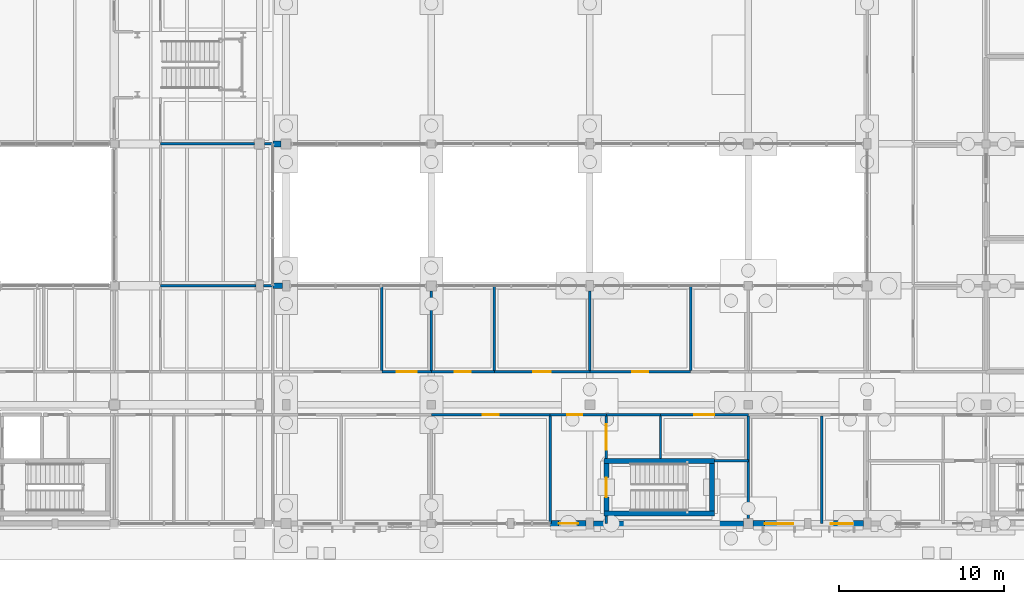
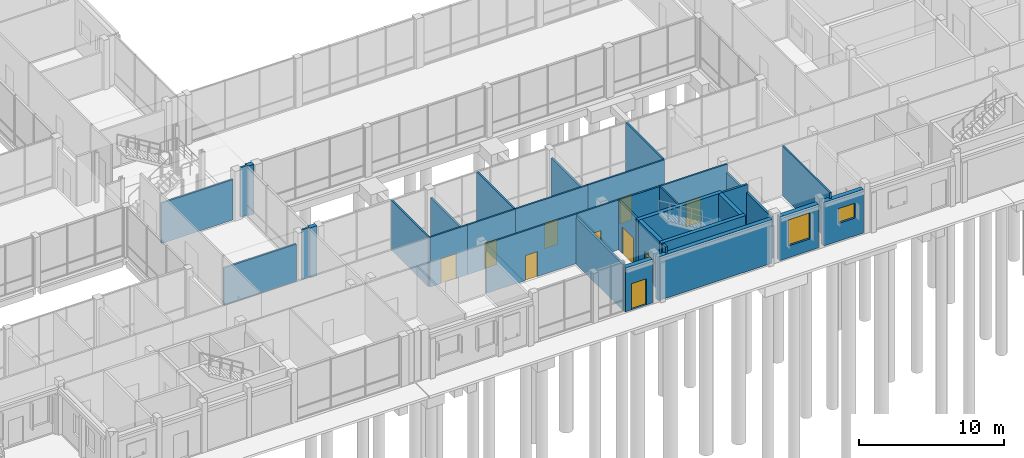
# One storey, part 78 of 104: 35 walls, 10 doors, 2 windows, 12 openings.
"""IFC4 building model written with IfcOpenShell, lengths in metres."""

import ifcopenshell
import ifcopenshell.guid

model = None  # the IFC model being written
_history = None  # IfcOwnerHistory: only IFC2X3 demands one
_inside = {}  # id of a spatial element -> (the spatial element, [elements in it])
_under = {}  # id of a project, library or spatial element -> (it, [spatial elements below it])
_declared = {}  # id of a project -> (the project, [libraries it declares])
_typed = {}  # id of a type object -> (the type object, [elements of that type])
_made_of = {}  # id of a material, layer set ... -> (it, [elements and type objects made of it])


def new_model(schema):
    """Start an empty IFC model of exactly this schema.

    Asked for "IFC4X3", IfcOpenShell would pick the latest addendum, in which some entities
    have other attributes; the version numbers below select the first issue.
    IFC2X3 requires an IfcOwnerHistory on every rooted entity: one is made here for all.
    """
    global model, _history
    if schema == "IFC4X3":
        model = ifcopenshell.file(schema_version=(4, 3, 0, 0))
    else:
        model = ifcopenshell.file(schema=schema)
    _inside.clear()
    _under.clear()
    _declared.clear()
    _typed.clear()
    _made_of.clear()
    _history = None
    if model.schema == "IFC2X3":
        org = make("IfcOrganization", Name="unknown")
        user = make(
            "IfcPersonAndOrganization",
            ThePerson=make("IfcPerson", FamilyName="unknown"),
            TheOrganization=org,
        )
        app = make(
            "IfcApplication",
            ApplicationDeveloper=org,
            Version="unknown",
            ApplicationFullName="unknown",
            ApplicationIdentifier="unknown",
        )
        _history = make(
            "IfcOwnerHistory",
            OwningUser=user,
            OwningApplication=app,
            ChangeAction="ADDED",
            CreationDate=0,
        )
    return model


def make(cls, **values):
    """One entity of the class cls with the attributes given. An attribute that is None is left unset."""
    return model.create_entity(
        cls, **{name: value for name, value in values.items() if value is not None}
    )


def rooted(cls, **values):
    """An entity with a GlobalId (a new one), such as an element, a storey or a relation."""
    return make(cls, GlobalId=ifcopenshell.guid.new(), OwnerHistory=_history, **values)


def si_unit(unit_type, name, prefix=None):
    """IfcSIUnit, for example si_unit("LENGTHUNIT", "METRE", prefix="MILLI")."""
    return make("IfcSIUnit", UnitType=unit_type, Prefix=prefix, Name=name)


def assignment(units):
    """IfcUnitAssignment: the units of a project."""
    return None if units is None else make("IfcUnitAssignment", Units=units)


def point(xyz):
    """IfcCartesianPoint."""
    return None if xyz is None else make("IfcCartesianPoint", Coordinates=xyz)


def direction(xyz):
    """IfcDirection."""
    return None if xyz is None else make("IfcDirection", DirectionRatios=xyz)


def frame(location, z_axis=None, x_axis=None):
    """IfcAxis2Placement3D, a coordinate frame: its origin and axes. An axis left out is left unset."""
    return make(
        "IfcAxis2Placement3D",
        Location=point(location),
        Axis=direction(z_axis),
        RefDirection=direction(x_axis),
    )


def frame_2d(location, x_axis=None):
    """IfcAxis2Placement2D, a coordinate frame in the plane: its origin and x axis."""
    return make(
        "IfcAxis2Placement2D", Location=point(location), RefDirection=direction(x_axis)
    )


def origin():
    """The frame at (0, 0, 0) with its axes left unset."""
    return frame((0.0, 0.0, 0.0))


def place(relative_to, where):
    """IfcLocalPlacement: puts the frame where relative to a parent placement (None: the world)."""
    return make(
        "IfcLocalPlacement", PlacementRelTo=relative_to, RelativePlacement=where
    )


def context(
    kind, dimensions, precision=None, world=None, true_north=None, identifier=None
):
    """IfcGeometricRepresentationContext, for example the 3D "Model" context."""
    return make(
        "IfcGeometricRepresentationContext",
        ContextIdentifier=identifier,
        ContextType=kind,
        CoordinateSpaceDimension=dimensions,
        Precision=precision,
        WorldCoordinateSystem=world,
        TrueNorth=true_north,
    )


def subcontext(parent, identifier, kind, view, scale=None):
    """IfcGeometricRepresentationSubContext, for example "Body" below "Model"."""
    return make(
        "IfcGeometricRepresentationSubContext",
        ContextIdentifier=identifier,
        ContextType=kind,
        ParentContext=parent,
        TargetScale=scale,
        TargetView=view,
    )


def project(units=None, contexts=None):
    """IfcProject with its units and contexts."""
    return rooted(
        "IfcProject",
        Name="project",
        RepresentationContexts=contexts,
        UnitsInContext=assignment(units),
    )


def spatial(cls, under=None, at=None, **own):
    """A site, building, storey or space (cls), placed at a placement, below another one or the project."""
    s = rooted(cls, ObjectPlacement=at, **own)
    if under is not None:
        _under.setdefault(under.id(), (under, []))[1].append(s)
    return s


def profile(cls, at=None, kind="AREA", **sizes):
    """A parametric profile (cls). Its sizes go by their IFC names, for example OverallWidth=200.0."""
    return make(cls, ProfileType=kind, Position=at, **sizes)


def rectangle(**sizes):
    """IfcRectangleProfileDef."""
    return profile("IfcRectangleProfileDef", **sizes)


def extrude(swept, where, along, depth):
    """IfcExtrudedAreaSolid: the profile swept, set in the frame where, extruded along a direction by depth."""
    return make(
        "IfcExtrudedAreaSolid",
        SweptArea=swept,
        Position=where,
        ExtrudedDirection=direction(along),
        Depth=depth,
    )


def shape(context_of_items, identifier, shape_type, items):
    """IfcShapeRepresentation: the items that make up one representation, for example the "Body"."""
    return make(
        "IfcShapeRepresentation",
        ContextOfItems=context_of_items,
        RepresentationIdentifier=identifier,
        RepresentationType=shape_type,
        Items=items,
    )


def material(Name=None, Category=None):
    """IfcMaterial."""
    return make("IfcMaterial", Name=Name, Category=Category)


def layer(
    of_material, thickness, ventilated=None, Name=None, Category=None, Priority=None
):
    """IfcMaterialLayer: one layer of a wall or slab, of a material (None: an air gap)."""
    return make(
        "IfcMaterialLayer",
        Material=of_material,
        LayerThickness=thickness,
        IsVentilated=ventilated,
        Name=Name,
        Category=Category,
        Priority=Priority,
    )


def layer_set(layers, Name=None):
    """IfcMaterialLayerSet."""
    return make("IfcMaterialLayerSet", MaterialLayers=layers, LayerSetName=Name)


def made_of(thing, what):
    """Note that an element or type object is made of a material, layer set ...; save() writes the relation."""
    if what is not None:
        _made_of.setdefault(what.id(), (what, []))[1].append(thing)
    return thing


def type_object(cls, material=None, **own):
    """A type object (cls), such as IfcWallType, which elements share."""
    return made_of(rooted(cls, **own), material)


def element(
    cls,
    number,
    at=None,
    inside=None,
    cuts=None,
    type_object=None,
    material=None,
    context=None,
    identifier="Body",
    shape_type=None,
    held_by="IfcProductDefinitionShape",
    body=None,
    shapes=None,
    **own,
):
    """One element of the class cls, such as IfcWall. Its Tag is "e" and its number.

    at: its placement. inside: the storey or other place that contains it. cuts: it is an
    opening in that element (IfcRelVoidsElement). A single representation is given by context,
    identifier, shape_type and body (its items); several are given by shapes. held_by: the class
    of the entity that holds the representations. save() writes the other relations.
    """
    e = rooted(cls, Tag="e%d" % number, ObjectPlacement=at, **own)
    if body is not None:
        shapes = [shape(context, identifier, shape_type, body)]
    if shapes is not None:
        e.Representation = make(held_by, Representations=shapes)
    if inside is not None:
        _inside.setdefault(inside.id(), (inside, []))[1].append(e)
    if cuts is not None:
        rooted(
            "IfcRelVoidsElement", RelatingBuildingElement=cuts, RelatedOpeningElement=e
        )
    if type_object is not None:
        _typed.setdefault(type_object.id(), (type_object, []))[1].append(e)
    return made_of(e, material)


def fill(opening, filler):
    """IfcRelFillsElement: the door or window that sits in an opening."""
    return rooted(
        "IfcRelFillsElement",
        RelatingOpeningElement=opening,
        RelatedBuildingElement=filler,
    )


def aggregate(whole, parts):
    """IfcRelAggregates: a whole, such as a stair, and the parts it consists of."""
    return rooted("IfcRelAggregates", RelatingObject=whole, RelatedObjects=parts)


def save(model, path):
    """Write the relations noted so far, then the file.

    IfcRelAggregates (storeys below a building ...), IfcRelContainedInSpatialStructure (elements
    in a storey), IfcRelDefinesByType, IfcRelAssociatesMaterial and IfcRelDeclares: one each for
    every whole, place, type object, material and project.
    """
    for whole, parts in _under.values():
        aggregate(whole, parts)
    for where, things in _inside.values():
        rooted(
            "IfcRelContainedInSpatialStructure",
            RelatedElements=things,
            RelatingStructure=where,
        )
    for kind, things in _typed.values():
        rooted("IfcRelDefinesByType", RelatedObjects=things, RelatingType=kind)
    for what, things in _made_of.values():
        rooted("IfcRelAssociatesMaterial", RelatedObjects=things, RelatingMaterial=what)
    for by, libraries in _declared.values():
        rooted("IfcRelDeclares", RelatingContext=by, RelatedDefinitions=libraries)
    model.write(path)


model = new_model("IFC4")

# Units and contexts
model_context = context("Model", 3, precision=1e-05, world=origin(), true_north=direction((0.0, 1.0)))
body_context = subcontext(model_context, "Body", "Model", "MODEL_VIEW")
ifc_project = project(units=[si_unit("LENGTHUNIT", "METRE"), si_unit("AREAUNIT", "SQUARE_METRE"), si_unit("VOLUMEUNIT", "CUBIC_METRE"), si_unit("PLANEANGLEUNIT", "RADIAN"), si_unit("MASSUNIT", "GRAM", prefix="KILO")], contexts=[model_context])

# Site, building, storey
site_placement = place(None, origin())
site = spatial("IfcSite", under=ifc_project, at=site_placement, CompositionType="ELEMENT")
building_placement = place(site_placement, origin())
building = spatial("IfcBuilding", under=site, at=building_placement, Name="Hawrajan Terrace Health Centre", CompositionType="ELEMENT")
storey_placement = place(building_placement, origin())
storey = spatial("IfcBuildingStorey", under=building, at=storey_placement, Name="L00", CompositionType="ELEMENT", Elevation=0.0)

# Walls
ifc_material_1 = material(Name="Gypsum board on acoustic stud framing")
ifc_layer_1 = layer(ifc_material_1, 0.139892578125)
ifc_layer_set_1 = layer_set([ifc_layer_1], Name="Gypsum board on acoustic stud framing")
wall_type_1 = type_object("IfcWallType", Name="ClinicalAcousticWall_140", PredefinedType="PARTITIONING", material=ifc_layer_set_1)
wall_1_placement = place(storey_placement, frame((65.0, 18.60009765625, 0.0), z_axis=(0.0, 0.0, 1.0), x_axis=(1.0, 0.0, 0.0)))
element("IfcWall", 1, at=wall_1_placement, inside=storey, type_object=wall_type_1, Name="Interior wall IW-L00-0345", PredefinedType="PARTITIONING", context=body_context, shape_type="SweptSolid", body=[
    extrude(rectangle(XDim=5.77490234375, YDim=0.139892578125, at=frame_2d((2.887451171875, 0.0))), origin(), (0.0, 0.0, 1.0), 3.14990234375),
])
wall_2_placement = place(storey_placement, frame((71.22509765625, 18.60009765625, 0.0), z_axis=(0.0, 0.0, 1.0), x_axis=(1.0, 0.0, 0.0)))
element("IfcWall", 2, at=wall_2_placement, inside=storey, type_object=wall_type_1, Name="Interior wall IW-L00-0346", PredefinedType="PARTITIONING", context=body_context, shape_type="SweptSolid", body=[
    extrude(rectangle(XDim=0.56982421875, YDim=0.139892578125, at=frame_2d((0.284912109375, 0.0))), origin(), (0.0, 0.0, 1.0), 4.179931640625),
])
wall_3_placement = place(storey_placement, frame((65.0, 27.199951171875, 0.0), z_axis=(0.0, 0.0, 1.0), x_axis=(1.0, 0.0, 0.0)))
element("IfcWall", 3, at=wall_3_placement, inside=storey, type_object=wall_type_1, Name="Interior wall IW-L00-0348", PredefinedType="PARTITIONING", context=body_context, shape_type="SweptSolid", body=[
    extrude(rectangle(XDim=5.699951171875, YDim=0.139892578125, at=frame_2d((2.85009765625, 0.0))), origin(), (0.0, 0.0, 1.0), 3.39990234375),
])
wall_4_placement = place(storey_placement, frame((71.300048828125, 27.199951171875, 0.0), z_axis=(0.0, 0.0, 1.0), x_axis=(1.0, 0.0, 0.0)))
element("IfcWall", 4, at=wall_4_placement, inside=storey, type_object=wall_type_1, Name="Interior wall IW-L00-0349", PredefinedType="PARTITIONING", context=body_context, shape_type="SweptSolid", body=[
    extrude(rectangle(XDim=0.494873046875, YDim=0.139892578125, at=frame_2d((0.24755859375, 0.0))), origin(), (0.0, 0.0, 1.0), 4.179931640625),
])
wall_5_placement = place(storey_placement, frame((78.406005859375, 13.469970703125, 0.0), z_axis=(0.0, 0.0, 1.0), x_axis=(0.0, 1.0, 0.0)))
element("IfcWall", 5, at=wall_5_placement, inside=storey, type_object=wall_type_1, Name="Interior wall IW-L00-0366", PredefinedType="PARTITIONING", context=body_context, shape_type="SweptSolid", body=[
    extrude(rectangle(XDim=5.130126953125, YDim=0.139892578125, at=frame_2d((2.56494140625, 0.0))), origin(), (0.0, 0.0, 1.0), 4.179931640625),
])

# Wall, opening, door
wall_6_placement = place(storey_placement, frame((78.406005859375, 13.39990234375, 0.0), z_axis=(0.0, 0.0, 1.0), x_axis=(1.0, 0.0, 0.0)))
wall_6 = element("IfcWall", 6, at=wall_6_placement, inside=storey, type_object=wall_type_1, Name="Interior wall IW-L00-0367", PredefinedType="PARTITIONING", context=body_context, shape_type="SweptSolid", body=[
    extrude(rectangle(XDim=2.993896484375, YDim=0.139892578125, at=frame_2d((1.4970703125, 0.0))), origin(), (0.0, 0.0, 1.0), 4.179931640625),
])
opening_1_placement = place(wall_6_placement, frame((0.886962890625, 0.0, 0.0)))
opening_1 = element("IfcOpeningElement", 7, at=opening_1_placement, cuts=wall_6, Name="Opening D-L00-192", PredefinedType="OPENING", context=body_context, shape_type="SweptSolid", body=[
    extrude(rectangle(XDim=1.219970703125, YDim=2.10009765625, at=frame_2d((0.60986328125, 1.050048828125))), frame((0.0, 0.079833984375, 0.0), z_axis=(0.0, -1.0, 0.0), x_axis=(1.0, 0.0, 0.0)), (0.0, 0.0, 1.0), 0.159912109375),
])
ifc_material_2 = material(Name="Hardwood acoustic clinical door leaf and frame", Category="wood")
door_type_1 = type_object("IfcDoorType", Name="ConsultDoor_1220x2100", OperationType="NOTDEFINED", PredefinedType="DOOR", material=ifc_material_2)
door_1_placement = place(opening_1_placement, origin())
door_1 = element("IfcDoor", 8, at=door_1_placement, inside=storey, type_object=door_type_1, Name="Interior door D-L00-192", OperationType="SINGLE_SWING_RIGHT", OverallHeight=2.10009765625, OverallWidth=1.219970703125, PredefinedType="DOOR", context=body_context, shape_type="SweptSolid", body=[
    extrude(rectangle(XDim=1.219970703125, YDim=2.10009765625, at=frame_2d((0.60986328125, 1.050048828125))), frame((0.0, 0.02490234375, 0.0), z_axis=(0.0, -1.0, 0.0), x_axis=(1.0, 0.0, 0.0)), (0.0, 0.0, 1.0), 0.050048828125),
])
fill(opening_1, door_1)

wall_7_placement = place(storey_placement, frame((81.39990234375, 10.800048828125, 0.0), z_axis=(0.0, 0.0, 1.0), x_axis=(1.0, 0.0, 0.0)))
wall_7 = element("IfcWall", 9, at=wall_7_placement, inside=storey, type_object=wall_type_1, Name="Interior wall IW-L00-0369", PredefinedType="PARTITIONING", context=body_context, shape_type="SweptSolid", body=[
    extrude(rectangle(XDim=7.2001953125, YDim=0.139892578125, at=frame_2d((3.60009765625, 0.0))), origin(), (0.0, 0.0, 1.0), 4.179931640625),
])
opening_2_placement = place(wall_7_placement, frame((3.125, 0.0, 0.0)))
opening_2 = element("IfcOpeningElement", 10, at=opening_2_placement, cuts=wall_7, Name="Opening D-L00-193", PredefinedType="OPENING", context=body_context, shape_type="SweptSolid", body=[
    extrude(rectangle(XDim=0.949951171875, YDim=2.10009765625, at=frame_2d((0.47509765625, 1.050048828125))), frame((0.0, 0.079833984375, 0.0), z_axis=(0.0, -1.0, 0.0), x_axis=(1.0, 0.0, 0.0)), (0.0, 0.0, 1.0), 0.159912109375),
])
door_type_2 = type_object("IfcDoorType", Name="AccessibleWCDoor_950x2100", OperationType="NOTDEFINED", PredefinedType="DOOR", material=ifc_material_2)
door_2_placement = place(opening_2_placement, origin())
door_2 = element("IfcDoor", 11, at=door_2_placement, inside=storey, type_object=door_type_2, Name="Interior door D-L00-193", OperationType="SINGLE_SWING_LEFT", OverallHeight=2.10009765625, OverallWidth=0.949951171875, PredefinedType="DOOR", context=body_context, shape_type="SweptSolid", body=[
    extrude(rectangle(XDim=0.949951171875, YDim=2.10009765625, at=frame_2d((0.47509765625, 1.050048828125))), frame((0.0, 0.02490234375, 0.0), z_axis=(0.0, -1.0, 0.0), x_axis=(1.0, 0.0, 0.0)), (0.0, 0.0, 1.0), 0.050048828125),
])
fill(opening_2, door_2)

# Wall
wall_8_placement = place(storey_placement, frame((81.39990234375, 13.469970703125, 0.0), z_axis=(0.0, 0.0, 1.0), x_axis=(0.0, 1.0, 0.0)))
element("IfcWall", 12, at=wall_8_placement, inside=storey, type_object=wall_type_1, Name="Interior wall IW-L00-0370", PredefinedType="PARTITIONING", context=body_context, shape_type="SweptSolid", body=[
    extrude(rectangle(XDim=4.830078125, YDim=0.139892578125, at=frame_2d((2.4150390625, 0.0))), origin(), (0.0, 0.0, 1.0), 3.5),
])

# Wall, opening, door
wall_9_placement = place(storey_placement, frame((81.39990234375, 13.39990234375, 0.0), z_axis=(0.0, 0.0, 1.0), x_axis=(1.0, 0.0, 0.0)))
wall_9 = element("IfcWall", 13, at=wall_9_placement, inside=storey, type_object=wall_type_1, Name="Interior wall IW-L00-0371", PredefinedType="PARTITIONING", context=body_context, shape_type="SweptSolid", body=[
    extrude(rectangle(XDim=3.821044921875, YDim=0.139892578125, at=frame_2d((1.91064453125, 0.0))), origin(), (0.0, 0.0, 1.0), 4.179931640625),
])
opening_3_placement = place(wall_9_placement, frame((1.42041015625, 0.0, 0.0)))
opening_3 = element("IfcOpeningElement", 14, at=opening_3_placement, cuts=wall_9, Name="Opening D-L00-194", PredefinedType="OPENING", context=body_context, shape_type="SweptSolid", body=[
    extrude(rectangle(XDim=0.97998046875, YDim=2.14990234375, at=frame_2d((0.489990234375, 1.074951171875))), frame((0.0, 0.079833984375, 0.0), z_axis=(0.0, -1.0, 0.0), x_axis=(1.0, 0.0, 0.0)), (0.0, 0.0, 1.0), 0.159912109375),
])
door_type_3 = type_object("IfcDoorType", Name="ConsultDoor_980x2150", OperationType="NOTDEFINED", PredefinedType="DOOR", material=ifc_material_2)
door_3_placement = place(opening_3_placement, origin())
door_3 = element("IfcDoor", 15, at=door_3_placement, inside=storey, type_object=door_type_3, Name="Interior door D-L00-194", OperationType="SINGLE_SWING_RIGHT", OverallHeight=2.14990234375, OverallWidth=0.97998046875, PredefinedType="DOOR", context=body_context, shape_type="SweptSolid", body=[
    extrude(rectangle(XDim=0.97998046875, YDim=2.14990234375, at=frame_2d((0.489990234375, 1.074951171875))), frame((0.0, 0.02490234375, 0.0), z_axis=(0.0, -1.0, 0.0), x_axis=(1.0, 0.0, 0.0)), (0.0, 0.0, 1.0), 0.050048828125),
])
fill(opening_3, door_3)

# Wall
wall_10_placement = place(storey_placement, frame((85.220947265625, 13.469970703125, 0.0), z_axis=(0.0, 0.0, 1.0), x_axis=(0.0, 1.0, 0.0)))
element("IfcWall", 16, at=wall_10_placement, inside=storey, type_object=wall_type_1, Name="Interior wall IW-L00-0372", PredefinedType="PARTITIONING", context=body_context, shape_type="SweptSolid", body=[
    extrude(rectangle(XDim=5.130126953125, YDim=0.139892578125, at=frame_2d((2.56494140625, 0.0))), origin(), (0.0, 0.0, 1.0), 4.179931640625),
])

# Wall, opening, door
wall_11_placement = place(storey_placement, frame((85.220947265625, 13.39990234375, 0.0), z_axis=(0.0, 0.0, 1.0), x_axis=(1.0, 0.0, 0.0)))
wall_11 = element("IfcWall", 17, at=wall_11_placement, inside=storey, type_object=wall_type_1, Name="Interior wall IW-L00-0373", PredefinedType="PARTITIONING", context=body_context, shape_type="SweptSolid", body=[
    extrude(rectangle(XDim=5.779052734375, YDim=0.139892578125, at=frame_2d((2.8896484375, 0.0))), origin(), (0.0, 0.0, 1.0), 4.179931640625),
])
opening_4_placement = place(wall_11_placement, frame((2.359619140625, 0.0, 0.0)))
opening_4 = element("IfcOpeningElement", 18, at=opening_4_placement, cuts=wall_11, Name="Opening D-L00-195", PredefinedType="OPENING", context=body_context, shape_type="SweptSolid", body=[
    extrude(rectangle(XDim=1.06005859375, YDim=2.14990234375, at=frame_2d((0.530029296875, 1.074951171875))), frame((0.0, 0.079833984375, 0.0), z_axis=(0.0, -1.0, 0.0), x_axis=(1.0, 0.0, 0.0)), (0.0, 0.0, 1.0), 0.159912109375),
])
door_type_4 = type_object("IfcDoorType", Name="MentalHealthDoor_1060x2150", OperationType="NOTDEFINED", PredefinedType="DOOR", material=ifc_material_2)
door_4_placement = place(opening_4_placement, origin())
door_4 = element("IfcDoor", 19, at=door_4_placement, inside=storey, type_object=door_type_4, Name="Interior door D-L00-195", OperationType="SINGLE_SWING_LEFT", OverallHeight=2.14990234375, OverallWidth=1.06005859375, PredefinedType="DOOR", context=body_context, shape_type="SweptSolid", body=[
    extrude(rectangle(XDim=1.06005859375, YDim=2.14990234375, at=frame_2d((0.530029296875, 1.074951171875))), frame((0.0, 0.02490234375, 0.0), z_axis=(0.0, -1.0, 0.0), x_axis=(1.0, 0.0, 0.0)), (0.0, 0.0, 1.0), 0.050048828125),
])
fill(opening_4, door_4)

# Wall
wall_12_placement = place(storey_placement, frame((88.60009765625, 4.199951171875, 0.0), z_axis=(0.0, 0.0, 1.0), x_axis=(0.0, 1.0, 0.0)))
element("IfcWall", 20, at=wall_12_placement, inside=storey, type_object=wall_type_1, Name="Interior wall IW-L00-0374", PredefinedType="PARTITIONING", context=body_context, shape_type="SweptSolid", body=[
    extrude(rectangle(XDim=6.530029296875, YDim=0.139892578125, at=frame_2d((3.26513671875, 0.0))), origin(), (0.0, 0.0, 1.0), 3.89990234375),
])

# Wall, opening, door
wall_13_placement = place(storey_placement, frame((88.60009765625, 10.800048828125, 0.0), z_axis=(0.0, 0.0, 1.0), x_axis=(1.0, 0.0, 0.0)))
wall_13 = element("IfcWall", 21, at=wall_13_placement, inside=storey, type_object=wall_type_1, Name="Interior wall IW-L00-0375", PredefinedType="PARTITIONING", context=body_context, shape_type="SweptSolid", body=[
    extrude(rectangle(XDim=3.39990234375, YDim=0.139892578125, at=frame_2d((1.699951171875, 0.0))), origin(), (0.0, 0.0, 1.0), 4.179931640625),
])
opening_5_placement = place(wall_13_placement, frame((1.030029296875, 0.0, 0.0)))
opening_5 = element("IfcOpeningElement", 22, at=opening_5_placement, cuts=wall_13, Name="Opening D-L00-117", PredefinedType="OPENING", context=body_context, shape_type="SweptSolid", body=[
    extrude(rectangle(XDim=0.89990234375, YDim=2.10009765625, at=frame_2d((0.449951171875, 1.050048828125))), frame((0.0, 0.079833984375, 0.0), z_axis=(0.0, -1.0, 0.0), x_axis=(1.0, 0.0, 0.0)), (0.0, 0.0, 1.0), 0.159912109375),
])
door_type_5 = type_object("IfcDoorType", Name="PatientWCDoor_900x2100", OperationType="NOTDEFINED", PredefinedType="DOOR", material=ifc_material_2)
door_5_placement = place(opening_5_placement, origin())
door_5 = element("IfcDoor", 23, at=door_5_placement, inside=storey, type_object=door_type_5, Name="Interior door D-L00-117", OperationType="SINGLE_SWING_LEFT", OverallHeight=2.10009765625, OverallWidth=0.89990234375, PredefinedType="DOOR", context=body_context, shape_type="SweptSolid", body=[
    extrude(rectangle(XDim=0.89990234375, YDim=2.10009765625, at=frame_2d((0.449951171875, 1.050048828125))), frame((0.0, 0.02490234375, 0.0), z_axis=(0.0, -1.0, 0.0), x_axis=(1.0, 0.0, 0.0)), (0.0, 0.0, 1.0), 0.050048828125),
])
fill(opening_5, door_5)

# Wall
wall_14_placement = place(storey_placement, frame((91.0, 13.469970703125, 0.0), z_axis=(0.0, 0.0, 1.0), x_axis=(0.0, 1.0, 0.0)))
element("IfcWall", 24, at=wall_14_placement, inside=storey, type_object=wall_type_1, Name="Interior wall IW-L00-0376", PredefinedType="PARTITIONING", context=body_context, shape_type="SweptSolid", body=[
    extrude(rectangle(XDim=4.804931640625, YDim=0.139892578125, at=frame_2d((2.40234375, 0.0))), origin(), (0.0, 0.0, 1.0), 3.5),
])

# Wall, opening, door
wall_15_placement = place(storey_placement, frame((91.0, 13.39990234375, 0.0), z_axis=(0.0, 0.0, 1.0), x_axis=(1.0, 0.0, 0.0)))
wall_15 = element("IfcWall", 25, at=wall_15_placement, inside=storey, type_object=wall_type_1, Name="Interior wall IW-L00-0377", PredefinedType="PARTITIONING", context=body_context, shape_type="SweptSolid", body=[
    extrude(rectangle(XDim=6.10595703125, YDim=0.139892578125, at=frame_2d((3.052978515625, 0.0))), origin(), (0.0, 0.0, 1.0), 4.179931640625),
])
opening_6_placement = place(wall_15_placement, frame((2.577880859375, 0.0, 0.0)))
opening_6 = element("IfcOpeningElement", 26, at=opening_6_placement, cuts=wall_15, Name="Opening D-L00-198", PredefinedType="OPENING", context=body_context, shape_type="SweptSolid", body=[
    extrude(rectangle(XDim=0.949951171875, YDim=2.10009765625, at=frame_2d((0.47509765625, 1.050048828125))), frame((0.0, 0.079833984375, 0.0), z_axis=(0.0, -1.0, 0.0), x_axis=(1.0, 0.0, 0.0)), (0.0, 0.0, 1.0), 0.159912109375),
])
door_6_placement = place(opening_6_placement, origin())
door_6 = element("IfcDoor", 27, at=door_6_placement, inside=storey, type_object=door_type_2, Name="Interior door D-L00-198", OperationType="SINGLE_SWING_RIGHT", OverallHeight=2.10009765625, OverallWidth=0.949951171875, PredefinedType="DOOR", context=body_context, shape_type="SweptSolid", body=[
    extrude(rectangle(XDim=0.949951171875, YDim=2.10009765625, at=frame_2d((0.47509765625, 1.050048828125))), frame((0.0, 0.02490234375, 0.0), z_axis=(0.0, -1.0, 0.0), x_axis=(1.0, 0.0, 0.0)), (0.0, 0.0, 1.0), 0.050048828125),
])
fill(opening_6, door_6)

wall_16_placement = place(storey_placement, frame((92.0, 8.139892578125, 0.0), z_axis=(0.0, 0.0, 1.0), x_axis=(0.0, 1.0, 0.0)))
wall_16 = element("IfcWall", 28, at=wall_16_placement, inside=storey, type_object=wall_type_1, Name="Interior wall IW-L00-0378", PredefinedType="PARTITIONING", context=body_context, shape_type="SweptSolid", body=[
    extrude(rectangle(XDim=2.590087890625, YDim=0.139892578125, at=frame_2d((1.294921875, 0.0))), origin(), (0.0, 0.0, 1.0), 4.179931640625),
])
opening_7_placement = place(wall_16_placement, frame((0.52490234375, 0.0, 0.0)))
opening_7 = element("IfcOpeningElement", 29, at=opening_7_placement, cuts=wall_16, Name="Opening D-L00-196", PredefinedType="OPENING", context=body_context, shape_type="SweptSolid", body=[
    extrude(rectangle(XDim=1.5400390625, YDim=2.25, at=frame_2d((0.77001953125, 1.125))), frame((0.0, 0.079833984375, 0.0), z_axis=(0.0, -1.0, 0.0), x_axis=(1.0, 0.0, 0.0)), (0.0, 0.0, 1.0), 0.159912109375),
])
door_type_6 = type_object("IfcDoorType", Name="RecoveryBayDoor_1540x2250", OperationType="DOUBLE_DOOR_SINGLE_SWING", PredefinedType="DOOR", material=ifc_material_2)
door_7_placement = place(opening_7_placement, origin())
door_7 = element("IfcDoor", 30, at=door_7_placement, inside=storey, type_object=door_type_6, Name="Interior door D-L00-196", OperationType="DOUBLE_DOOR_SINGLE_SWING", OverallHeight=2.25, OverallWidth=1.5400390625, PredefinedType="DOOR", context=body_context, shape_type="SweptSolid", body=[
    extrude(rectangle(XDim=1.5400390625, YDim=2.25, at=frame_2d((0.77001953125, 1.125))), frame((0.0, 0.02490234375, 0.0), z_axis=(0.0, -1.0, 0.0), x_axis=(1.0, 0.0, 0.0)), (0.0, 0.0, 1.0), 0.050048828125),
])
fill(opening_7, door_7)

# Walls
wall_17_placement = place(storey_placement, frame((92.0, 10.800048828125, 0.0), z_axis=(0.0, 0.0, 1.0), x_axis=(1.0, 0.0, 0.0)))
element("IfcWall", 31, at=wall_17_placement, inside=storey, type_object=wall_type_1, Name="Interior wall IW-L00-0379", PredefinedType="PARTITIONING", context=body_context, shape_type="SweptSolid", body=[
    extrude(rectangle(XDim=3.277099609375, YDim=0.139892578125, at=frame_2d((1.638671875, 0.0))), origin(), (0.0, 0.0, 1.0), 4.179931640625),
])
wall_18_placement = place(storey_placement, frame((95.277099609375, 8.139892578125, 0.0), z_axis=(0.0, 0.0, 1.0), x_axis=(0.0, 1.0, 0.0)))
element("IfcWall", 32, at=wall_18_placement, inside=storey, type_object=wall_type_1, Name="Interior wall IW-L00-0380", PredefinedType="PARTITIONING", context=body_context, shape_type="SweptSolid", body=[
    extrude(rectangle(XDim=2.590087890625, YDim=0.139892578125, at=frame_2d((1.294921875, 0.0))), origin(), (0.0, 0.0, 1.0), 4.179931640625),
])

# Wall, opening, door
wall_19_placement = place(storey_placement, frame((95.277099609375, 10.800048828125, 0.0), z_axis=(0.0, 0.0, 1.0), x_axis=(1.0, 0.0, 0.0)))
wall_19 = element("IfcWall", 33, at=wall_19_placement, inside=storey, type_object=wall_type_1, Name="Interior wall IW-L00-0381", PredefinedType="PARTITIONING", context=body_context, shape_type="SweptSolid", body=[
    extrude(rectangle(XDim=5.322998046875, YDim=0.139892578125, at=frame_2d((2.66162109375, 0.0))), origin(), (0.0, 0.0, 1.0), 4.179931640625),
])
opening_8_placement = place(wall_19_placement, frame((2.051513671875, 0.0, 0.0)))
opening_8 = element("IfcOpeningElement", 34, at=opening_8_placement, cuts=wall_19, Name="Opening D-L00-197", PredefinedType="OPENING", context=body_context, shape_type="SweptSolid", body=[
    extrude(rectangle(XDim=1.219970703125, YDim=2.10009765625, at=frame_2d((0.60986328125, 1.050048828125))), frame((0.0, 0.079833984375, 0.0), z_axis=(0.0, -1.0, 0.0), x_axis=(1.0, 0.0, 0.0)), (0.0, 0.0, 1.0), 0.159912109375),
])
door_8_placement = place(opening_8_placement, origin())
door_8 = element("IfcDoor", 35, at=door_8_placement, inside=storey, type_object=door_type_1, Name="Interior door D-L00-197", OperationType="SINGLE_SWING_LEFT", OverallHeight=2.10009765625, OverallWidth=1.219970703125, PredefinedType="DOOR", context=body_context, shape_type="SweptSolid", body=[
    extrude(rectangle(XDim=1.219970703125, YDim=2.10009765625, at=frame_2d((0.60986328125, 1.050048828125))), frame((0.0, 0.02490234375, 0.0), z_axis=(0.0, -1.0, 0.0), x_axis=(1.0, 0.0, 0.0)), (0.0, 0.0, 1.0), 0.050048828125),
])
fill(opening_8, door_8)

# Walls
wall_20_placement = place(storey_placement, frame((97.10595703125, 13.469970703125, 0.0), z_axis=(0.0, 0.0, 1.0), x_axis=(0.0, 1.0, 0.0)))
element("IfcWall", 36, at=wall_20_placement, inside=storey, type_object=wall_type_1, Name="Interior wall IW-L00-0382", PredefinedType="PARTITIONING", context=body_context, shape_type="SweptSolid", body=[
    extrude(rectangle(XDim=5.130126953125, YDim=0.139892578125, at=frame_2d((2.56494140625, 0.0))), origin(), (0.0, 0.0, 1.0), 4.179931640625),
])
wall_21_placement = place(storey_placement, frame((100.60009765625, 8.0, 0.0), z_axis=(0.0, 0.0, 1.0), x_axis=(0.0, 1.0, 0.0)))
element("IfcWall", 37, at=wall_21_placement, inside=storey, type_object=wall_type_1, Name="Interior wall IW-L00-0384", PredefinedType="PARTITIONING", context=body_context, shape_type="SweptSolid", body=[
    extrude(rectangle(XDim=2.72998046875, YDim=0.139892578125, at=frame_2d((1.364990234375, 0.0))), origin(), (0.0, 0.0, 1.0), 3.5),
])
wall_22_placement = place(storey_placement, frame((105.056884765625, 4.199951171875, 0.0), z_axis=(0.0, 0.0, 1.0), x_axis=(0.0, 1.0, 0.0)))
element("IfcWall", 38, at=wall_22_placement, inside=storey, type_object=wall_type_1, Name="Interior wall IW-L00-0388", PredefinedType="PARTITIONING", context=body_context, shape_type="SweptSolid", body=[
    extrude(rectangle(XDim=6.530029296875, YDim=0.139892578125, at=frame_2d((3.26513671875, 0.0))), origin(), (0.0, 0.0, 1.0), 4.179931640625),
])
ifc_material_3 = material(Name="Precast concrete C40/50", Category="concrete")
ifc_layer_2 = layer(ifc_material_3, 0.340087890625)
ifc_layer_set_2 = layer_set([ifc_layer_2], Name="Precast concrete C40/50")
wall_type_2 = type_object("IfcWallType", Name="CoralAshlarWall_340", PredefinedType="SOLIDWALL", material=ifc_layer_set_2)
wall_23_placement = place(storey_placement, frame((71.804931640625, 18.60009765625, 0.0), z_axis=(0.0, 0.0, 1.0), x_axis=(1.0, 0.0, 0.0)))
element("IfcWall", 39, at=wall_23_placement, inside=storey, type_object=wall_type_2, Name="Exterior wall EW-L00-H09-02-1", PredefinedType="SOLIDWALL", context=body_context, shape_type="SweptSolid", body=[
    extrude(rectangle(XDim=0.570068359375, YDim=0.340087890625, at=frame_2d((0.28515625, 0.0))), origin(), (0.0, 0.0, 1.0), 4.199951171875),
])
wall_24_placement = place(storey_placement, frame((91.22509765625, 4.199951171875, 0.0), z_axis=(0.0, 0.0, 1.0), x_axis=(1.0, 0.0, 0.0)))
element("IfcWall", 40, at=wall_24_placement, inside=storey, type_object=wall_type_2, Name="Exterior wall EW-L00-H11-00-1", PredefinedType="SOLIDWALL", context=body_context, shape_type="SweptSolid", body=[
    extrude(rectangle(XDim=9.074951171875, YDim=0.340087890625, at=frame_2d((4.53759765625, 0.0))), origin(), (0.0, 0.0, 1.0), 3.679931640625),
])
ifc_layer_3 = layer(ifc_material_3, 0.360107421875)
ifc_layer_set_3 = layer_set([ifc_layer_3], Name="Precast concrete C40/50")
wall_type_3 = type_object("IfcWallType", Name="CoralPodiumWall_360", PredefinedType="SOLIDWALL", material=ifc_layer_set_3)
wall_25_placement = place(storey_placement, frame((71.804931640625, 27.199951171875, 0.0), z_axis=(0.0, 0.0, 1.0), x_axis=(1.0, 0.0, 0.0)))
element("IfcWall", 41, at=wall_25_placement, inside=storey, type_object=wall_type_3, Name="Exterior wall EW-L00-H09-03-1", PredefinedType="SOLIDWALL", context=body_context, shape_type="SweptSolid", body=[
    extrude(rectangle(XDim=0.4951171875, YDim=0.360107421875, at=frame_2d((0.24755859375, 0.0))), origin(), (0.0, 0.0, 1.0), 4.199951171875),
])

# Wall, opening, door
wall_26_placement = place(storey_placement, frame((88.60009765625, 4.199951171875, 0.0), z_axis=(0.0, 0.0, 1.0), x_axis=(1.0, 0.0, 0.0)))
wall_26 = element("IfcWall", 42, at=wall_26_placement, inside=storey, type_object=wall_type_3, Name="Exterior wall EW-L00-H10-00-3", PredefinedType="SOLIDWALL", context=body_context, shape_type="SweptSolid", body=[
    extrude(rectangle(XDim=2.1748046875, YDim=0.360107421875, at=frame_2d((1.08740234375, 0.0))), origin(), (0.0, 0.0, 1.0), 3.679931640625),
])
opening_9_placement = place(wall_26_placement, frame((0.510009765625, 0.0, 0.0)))
opening_9 = element("IfcOpeningElement", 43, at=opening_9_placement, cuts=wall_26, Name="Opening D-L00-E011", PredefinedType="OPENING", context=body_context, shape_type="SweptSolid", body=[
    extrude(rectangle(XDim=1.179931640625, YDim=2.199951171875, at=frame_2d((0.58984375, 1.10009765625))), frame((0.0, 0.18994140625, 0.0), z_axis=(0.0, -1.0, 0.0), x_axis=(1.0, 0.0, 0.0)), (0.0, 0.0, 1.0), 0.380126953125),
])
ifc_material_4 = material(Name="Anodized bronze thermally broken fire-rated glazed door")
door_type_7 = type_object("IfcDoorType", Name="StairDischargeDoor_1180x2200", OperationType="NOTDEFINED", PredefinedType="DOOR", material=ifc_material_4)
door_9_placement = place(opening_9_placement, frame((1.179931640625, 0.0, 0.0), z_axis=(0.0, 0.0, 1.0), x_axis=(-1.0, 0.0, 0.0)))
door_9 = element("IfcDoor", 44, at=door_9_placement, inside=storey, type_object=door_type_7, Name="Stair S5 Final Exit Door D-L00-E011", OperationType="SINGLE_SWING_LEFT", OverallHeight=2.199951171875, OverallWidth=1.179931640625, PredefinedType="DOOR", context=body_context, shape_type="SweptSolid", body=[
    extrude(rectangle(XDim=1.179931640625, YDim=2.199951171875, at=frame_2d((0.58984375, 1.10009765625))), frame((0.0, 0.02490234375, 0.0), z_axis=(0.0, -1.0, 0.0), x_axis=(1.0, 0.0, 0.0)), (0.0, 0.0, 1.0), 0.050048828125),
])
fill(opening_9, door_9)

# Wall, opening, window
wall_27_placement = place(storey_placement, frame((100.89990234375, 4.199951171875, 0.0), z_axis=(0.0, 0.0, 1.0), x_axis=(1.0, 0.0, 0.0)))
wall_27 = element("IfcWall", 45, at=wall_27_placement, inside=storey, type_object=wall_type_3, Name="Exterior wall EW-L00-H12-00-1", PredefinedType="SOLIDWALL", context=body_context, shape_type="SweptSolid", body=[
    extrude(rectangle(XDim=3.10009765625, YDim=0.360107421875, at=frame_2d((1.550048828125, 0.0))), origin(), (0.0, 0.0, 1.0), 3.679931640625),
])
opening_10_placement = place(wall_27_placement, frame((0.68994140625, 0.0, 1.0)))
opening_10 = element("IfcOpeningElement", 46, at=opening_10_placement, cuts=wall_27, Name="Opening W-L00-037", PredefinedType="OPENING", context=body_context, shape_type="SweptSolid", body=[
    extrude(rectangle(XDim=1.719970703125, YDim=2.199951171875, at=frame_2d((0.85986328125, 1.10009765625))), frame((0.0, 0.18994140625, 0.0), z_axis=(0.0, -1.0, 0.0), x_axis=(1.0, 0.0, 0.0)), (0.0, 0.0, 1.0), 0.380126953125),
])
ifc_material_5 = material(Name="Anodized bronze frame with double low-E glazing", Category="glass")
window_type_1 = type_object("IfcWindowType", Name="FacadeWindow_1720x2200", PartitioningType="DOUBLE_PANEL_VERTICAL", PredefinedType="WINDOW", material=ifc_material_5)
window_1_placement = place(opening_10_placement, origin())
window_1 = element("IfcWindow", 47, at=window_1_placement, inside=storey, type_object=window_type_1, Name="Window W-L00-037", OverallHeight=2.199951171875, OverallWidth=1.719970703125, PartitioningType="DOUBLE_PANEL_VERTICAL", PredefinedType="WINDOW", context=body_context, shape_type="SweptSolid", body=[
    extrude(rectangle(XDim=1.719970703125, YDim=2.199951171875, at=frame_2d((0.85986328125, 1.10009765625))), frame((0.0, 0.030029296875, 0.0), z_axis=(0.0, -1.0, 0.0), x_axis=(1.0, 0.0, 0.0)), (0.0, 0.0, 1.0), 0.06005859375),
])
fill(opening_10, window_1)

wall_28_placement = place(storey_placement, frame((104.39990234375, 4.199951171875, 0.0), z_axis=(0.0, 0.0, 1.0), x_axis=(1.0, 0.0, 0.0)))
wall_28 = element("IfcWall", 48, at=wall_28_placement, inside=storey, type_object=wall_type_3, Name="Exterior wall EW-L00-H12-00-2", PredefinedType="SOLIDWALL", context=body_context, shape_type="SweptSolid", body=[
    extrude(rectangle(XDim=3.175048828125, YDim=0.360107421875, at=frame_2d((1.58740234375, 0.0))), origin(), (0.0, 0.0, 1.0), 3.679931640625),
])
opening_11_placement = place(wall_28_placement, frame((1.19580078125, 0.0, 1.5)))
opening_11 = element("IfcOpeningElement", 49, at=opening_11_placement, cuts=wall_28, Name="Opening W-L00-038", PredefinedType="OPENING", context=body_context, shape_type="SweptSolid", body=[
    extrude(rectangle(XDim=1.320068359375, YDim=1.25, at=frame_2d((0.66015625, 0.625))), frame((0.0, 0.18994140625, 0.0), z_axis=(0.0, -1.0, 0.0), x_axis=(1.0, 0.0, 0.0)), (0.0, 0.0, 1.0), 0.380126953125),
])
window_type_2 = type_object("IfcWindowType", Name="FacadeWindow_1320x1250", PartitioningType="SINGLE_PANEL", PredefinedType="WINDOW", material=ifc_material_5)
window_2_placement = place(opening_11_placement, origin())
window_2 = element("IfcWindow", 50, at=window_2_placement, inside=storey, type_object=window_type_2, Name="Window W-L00-038", OverallHeight=1.25, OverallWidth=1.320068359375, PartitioningType="SINGLE_PANEL", PredefinedType="WINDOW", context=body_context, shape_type="SweptSolid", body=[
    extrude(rectangle(XDim=1.320068359375, YDim=1.25, at=frame_2d((0.66015625, 0.625))), frame((0.0, 0.030029296875, 0.0), z_axis=(0.0, -1.0, 0.0), x_axis=(1.0, 0.0, 0.0)), (0.0, 0.0, 1.0), 0.06005859375),
])
fill(opening_11, window_2)

# Walls
ifc_material_6 = material(Name="Concrete C40/50", Category="concrete")
ifc_layer_4 = layer(ifc_material_6, 0.300048828125)
ifc_layer_set_4 = layer_set([ifc_layer_4], Name="Concrete C40/50")
wall_type_4 = type_object("IfcWallType", Name="CoreShearWall_RC300", PredefinedType="SHEAR", material=ifc_layer_set_4)
for number, where, z_axis, x_axis, name in (
    (51, (91.85009765625, 4.800048828125, 0.0), (0.0, 0.0, 1.0), (1.0, 0.0, 0.0), "Core shear wall SW-S5-L00-S"),
    (52, (91.85009765625, 8.0, 0.0), (0.0, 0.0, 1.0), (1.0, 0.0, 0.0), "Core shear wall SW-S5-L00-N"),
):
    element("IfcWall", number, at=place(storey_placement, frame(where, z_axis=z_axis, x_axis=x_axis)), inside=storey, type_object=wall_type_4, Name=name, PredefinedType="SHEAR", context=body_context, shape_type="SweptSolid", body=[
        extrude(rectangle(XDim=6.699951171875, YDim=0.300048828125, at=frame_2d((3.35009765625, 0.0))), origin(), (0.0, 0.0, 1.0), 4.25),
    ])

# Wall, opening, door
wall_29_placement = place(storey_placement, frame((92.0, 4.949951171875, 0.0), z_axis=(0.0, 0.0, 1.0), x_axis=(0.0, 1.0, 0.0)))
wall_29 = element("IfcWall", 53, at=wall_29_placement, inside=storey, type_object=wall_type_4, Name="Core shear wall SW-S5-L00-W", PredefinedType="SHEAR", context=body_context, shape_type="SweptSolid", body=[
    extrude(rectangle(XDim=2.900146484375, YDim=0.300048828125, at=frame_2d((1.4501953125, 0.0))), origin(), (0.0, 0.0, 1.0), 4.25),
])
opening_12_placement = place(wall_29_placement, frame((0.860107421875, 0.0, 0.0)))
opening_12 = element("IfcOpeningElement", 54, at=opening_12_placement, cuts=wall_29, Name="Opening D-L00-100", PredefinedType="OPENING", context=body_context, shape_type="SweptSolid", body=[
    extrude(rectangle(XDim=1.179931640625, YDim=2.14990234375, at=frame_2d((0.58984375, 1.074951171875))), frame((0.0, 0.159912109375, 0.0), z_axis=(0.0, -1.0, 0.0), x_axis=(1.0, 0.0, 0.0)), (0.0, 0.0, 1.0), 0.320068359375),
])
ifc_material_7 = material(Name="Timber-veneered acoustic fire-resisting door assembly", Category="wood")
door_type_8 = type_object("IfcDoorType", Name="CoreStairDoor_1180x2150", OperationType="NOTDEFINED", PredefinedType="DOOR", material=ifc_material_7)
door_10_placement = place(opening_12_placement, origin())
door_10 = element("IfcDoor", 55, at=door_10_placement, inside=storey, type_object=door_type_8, Name="Interior door D-L00-100", OperationType="SINGLE_SWING_RIGHT", OverallHeight=2.14990234375, OverallWidth=1.179931640625, PredefinedType="DOOR", context=body_context, shape_type="SweptSolid", body=[
    extrude(rectangle(XDim=1.179931640625, YDim=2.14990234375, at=frame_2d((0.58984375, 1.074951171875))), frame((0.0, 0.02490234375, 0.0), z_axis=(0.0, -1.0, 0.0), x_axis=(1.0, 0.0, 0.0)), (0.0, 0.0, 1.0), 0.050048828125),
])
fill(opening_12, door_10)

# Walls
wall_30_placement = place(storey_placement, frame((98.39990234375, 4.949951171875, 0.0), z_axis=(0.0, 0.0, 1.0), x_axis=(0.0, 1.0, 0.0)))
element("IfcWall", 56, at=wall_30_placement, inside=storey, type_object=wall_type_4, Name="Core shear wall SW-S5-L00-E", PredefinedType="SHEAR", context=body_context, shape_type="SweptSolid", body=[
    extrude(rectangle(XDim=2.900146484375, YDim=0.300048828125, at=frame_2d((1.4501953125, 0.0))), origin(), (0.0, 0.0, 1.0), 4.25),
])
ifc_layer_5 = layer(ifc_material_1, 0.159912109375)
ifc_layer_set_5 = layer_set([ifc_layer_5], Name="Gypsum board on acoustic stud framing")
wall_type_5 = type_object("IfcWallType", Name="CorridorFireWall_160", PredefinedType="PARTITIONING", material=ifc_layer_set_5)
wall_31_placement = place(storey_placement, frame((92.0, 4.199951171875, 0.0), z_axis=(0.0, 0.0, 1.0), x_axis=(0.0, 1.0, 0.0)))
element("IfcWall", 57, at=wall_31_placement, inside=storey, type_object=wall_type_5, Name="Interior wall IW-L00-0486", PredefinedType="PARTITIONING", context=body_context, shape_type="SweptSolid", body=[
    extrude(rectangle(XDim=0.4599609375, YDim=0.159912109375, at=frame_2d((0.22998046875, 0.0))), origin(), (0.0, 0.0, 1.0), 4.179931640625),
])
wall_32_placement = place(storey_placement, frame((98.550048828125, 8.0, 0.0), z_axis=(0.0, 0.0, 1.0), x_axis=(1.0, 0.0, 0.0)))
element("IfcWall", 58, at=wall_32_placement, inside=storey, type_object=wall_type_5, Name="Interior wall IW-L00-0501", PredefinedType="PARTITIONING", context=body_context, shape_type="SweptSolid", body=[
    extrude(rectangle(XDim=2.050048828125, YDim=0.159912109375, at=frame_2d((1.02490234375, 0.0))), origin(), (0.0, 0.0, 1.0), 4.179931640625),
])
wall_33_placement = place(storey_placement, frame((100.60009765625, 4.5, 0.0), z_axis=(0.0, 0.0, 1.0), x_axis=(0.0, 1.0, 0.0)))
element("IfcWall", 59, at=wall_33_placement, inside=storey, type_object=wall_type_5, Name="Interior wall IW-L00-0502", PredefinedType="PARTITIONING", context=body_context, shape_type="SweptSolid", body=[
    extrude(rectangle(XDim=3.5, YDim=0.159912109375, at=frame_2d((1.75, 0.0))), origin(), (0.0, 0.0, 1.0), 3.5),
])

save(model, "model.ifc")
